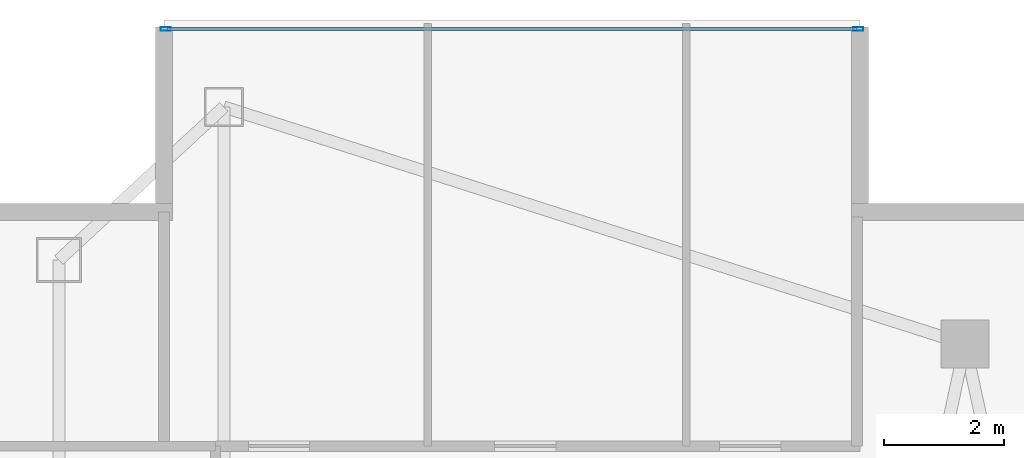
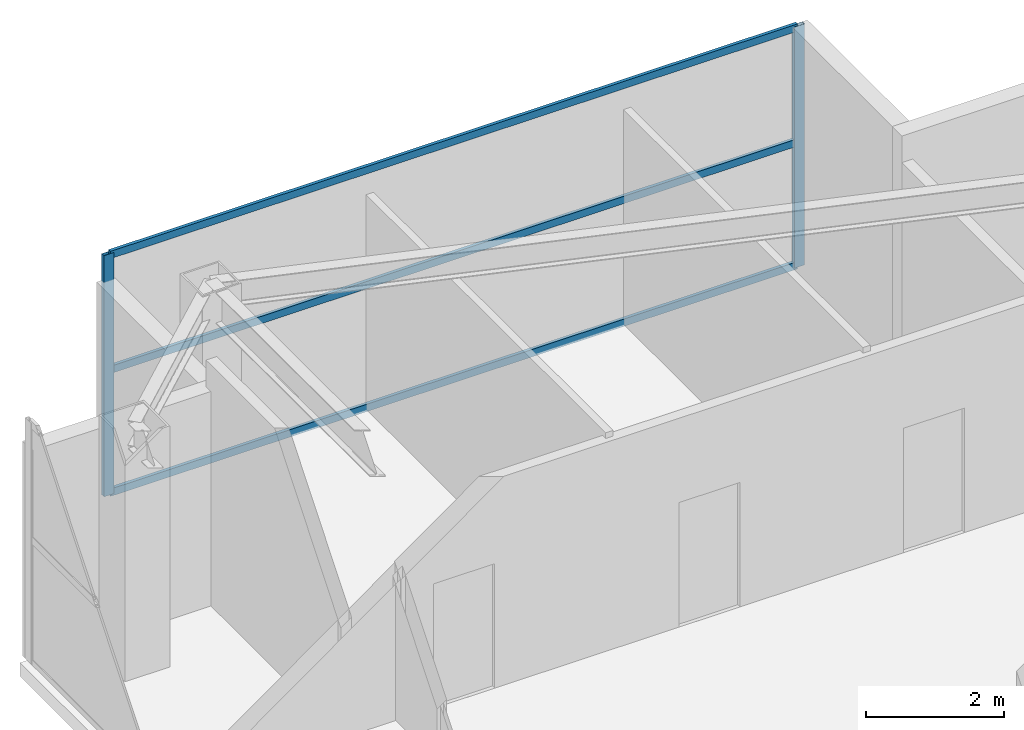
# One storey, part 19 of 25: 5 members, 1 element without a shape of its own.
"""IFC4 building model written with IfcOpenShell, lengths in metres."""

from ifc_helpers import new_model, si_unit, direction, frame, origin, origin_2d, place, context, subcontext, project, spatial, hollow_rectangle, extrude, material, layer, layer_set, material_profile, profile_set, type_object, element, aggregate, save


model = new_model("IFC4")

# Units and contexts
model_context = context("Model", 3, precision=1e-05, world=origin(), true_north=direction((0.0, 1.0)))
body_context = subcontext(model_context, "Body", "Model", "MODEL_VIEW")
ifc_project = project(units=[si_unit("LENGTHUNIT", "METRE"), si_unit("AREAUNIT", "SQUARE_METRE"), si_unit("VOLUMEUNIT", "CUBIC_METRE"), si_unit("PLANEANGLEUNIT", "RADIAN"), si_unit("MASSUNIT", "GRAM", prefix="KILO")], contexts=[model_context])

# Site, building, storey
site_placement = place(None, origin())
site = spatial("IfcSite", under=ifc_project, at=site_placement, CompositionType="ELEMENT")
building_placement = place(site_placement, origin())
building = spatial("IfcBuilding", under=site, at=building_placement, Name="Calvorn Quay Hotel", CompositionType="ELEMENT")
storey_placement = place(building_placement, frame((0.0, 0.0, 316.0)))
storey = spatial("IfcBuildingStorey", under=building, at=storey_placement, Name="L78", CompositionType="ELEMENT", Elevation=316.0)

# Curtain wall, members
ifc_material_1 = material(Name="Champagne Bronze Anodised Aluminium and Low-E Glass", Category="aluminium")
ifc_layer = layer(ifc_material_1, 0.219970703125)
ifc_layer_set = layer_set([ifc_layer], Name="CW-SYS-Z4")
curtain_wall_type = type_object("IfcCurtainWallType", Name="CW-SYS-Z4", PredefinedType="NOTDEFINED", material=ifc_layer_set)
curtain_wall_placement = place(storey_placement, origin())
curtain_wall = element("IfcCurtainWall", 1, at=curtain_wall_placement, inside=storey, type_object=curtain_wall_type, Name="Inner Court Curtain Wall L78-N1", PredefinedType="NOTDEFINED")
ifc_material_2 = material(Name="Champagne Bronze Anodised Aluminium 6063-T6", Category="aluminium")
ifc_material_profile_1 = material_profile(ifc_material_2, hollow_rectangle(XDim=0.06494140625, YDim=0.169921875, WallThickness=0.00341796875, at=origin_2d()), Name="ALU-M170x65x3.5")
ifc_profile_set_1 = profile_set([ifc_material_profile_1], Name="Champagne Bronze Anodised Aluminium 6063-T6")
member_type_1 = type_object("IfcMemberType", Name="CW-SYS-Z4-MUL", PredefinedType="MULLION", material=ifc_profile_set_1)
member_1_placement = place(storey_placement, frame((14.77001953125, 50.85009765625, 0.0), z_axis=(0.0, 0.0, 1.0), x_axis=(0.0, -1.0, 0.0)))
member_1 = element("IfcMember", 2, at=member_1_placement, type_object=member_type_1, Name="CW-L78-N1 mullion 1", PredefinedType="MULLION", context=body_context, shape_type="SweptSolid", body=[
    extrude(hollow_rectangle(XDim=0.06494140625, YDim=0.169921875, WallThickness=0.00341796875, at=origin_2d()), origin(), (0.0, 0.0, 1.0), 4.260009765625),
])
member_2_placement = place(storey_placement, frame((3.22998046875, 50.85009765625, 0.0), z_axis=(0.0, 0.0, 1.0), x_axis=(0.0, -1.0, 0.0)))
member_2 = element("IfcMember", 3, at=member_2_placement, type_object=member_type_1, Name="CW-L78-N1 mullion 2", PredefinedType="MULLION", context=body_context, shape_type="SweptSolid", body=[
    extrude(hollow_rectangle(XDim=0.06494140625, YDim=0.169921875, WallThickness=0.00341796875, at=origin_2d()), origin(), (0.0, 0.0, 1.0), 4.260009765625),
])
ifc_material_3 = material(Name="Champagne Bronze Anodised Aluminium 6063-T6", Category="aluminium")
ifc_material_profile_2 = material_profile(ifc_material_3, hollow_rectangle(XDim=0.054931640625, YDim=0.1298828125, WallThickness=0.003173828125, at=origin_2d()), Name="ALU-T130x55x3.2")
ifc_profile_set_2 = profile_set([ifc_material_profile_2], Name="Champagne Bronze Anodised Aluminium 6063-T6")
member_type_2 = type_object("IfcMemberType", Name="CW-SYS-Z4-TRN", PredefinedType="USERDEFINED", material=ifc_profile_set_2)
member_3_placement = place(storey_placement, frame((14.739990234375, 50.85009765625, 0.030029296875), z_axis=(-1.0, 0.0, 0.0), x_axis=(0.0, -1.0, 0.0)))
member_3 = element("IfcMember", 4, at=member_3_placement, type_object=member_type_2, Name="CW-L78-N1 transom 1.1", ObjectType="TRANSOM", PredefinedType="USERDEFINED", context=body_context, shape_type="SweptSolid", body=[
    extrude(hollow_rectangle(XDim=0.054931640625, YDim=0.1298828125, WallThickness=0.003173828125, at=origin_2d()), origin(), (0.0, 0.0, 1.0), 11.47998046875),
])
member_4_placement = place(storey_placement, frame((14.739990234375, 50.85009765625, 2.199951171875), z_axis=(-1.0, 0.0, 0.0), x_axis=(0.0, -1.0, 0.0)))
member_4 = element("IfcMember", 5, at=member_4_placement, type_object=member_type_2, Name="CW-L78-N1 transom 1.2", ObjectType="TRANSOM", PredefinedType="USERDEFINED", context=body_context, shape_type="SweptSolid", body=[
    extrude(hollow_rectangle(XDim=0.054931640625, YDim=0.1298828125, WallThickness=0.003173828125, at=origin_2d()), origin(), (0.0, 0.0, 1.0), 11.47998046875),
])
member_5_placement = place(storey_placement, frame((14.739990234375, 50.85009765625, 4.22998046875), z_axis=(-1.0, 0.0, 0.0), x_axis=(0.0, -1.0, 0.0)))
member_5 = element("IfcMember", 6, at=member_5_placement, type_object=member_type_2, Name="CW-L78-N1 transom 1.3", ObjectType="TRANSOM", PredefinedType="USERDEFINED", context=body_context, shape_type="SweptSolid", body=[
    extrude(hollow_rectangle(XDim=0.054931640625, YDim=0.1298828125, WallThickness=0.003173828125, at=origin_2d()), origin(), (0.0, 0.0, 1.0), 11.47998046875),
])
aggregate(curtain_wall, [member_1, member_2, member_3, member_4, member_5])

save(model, "model.ifc")
